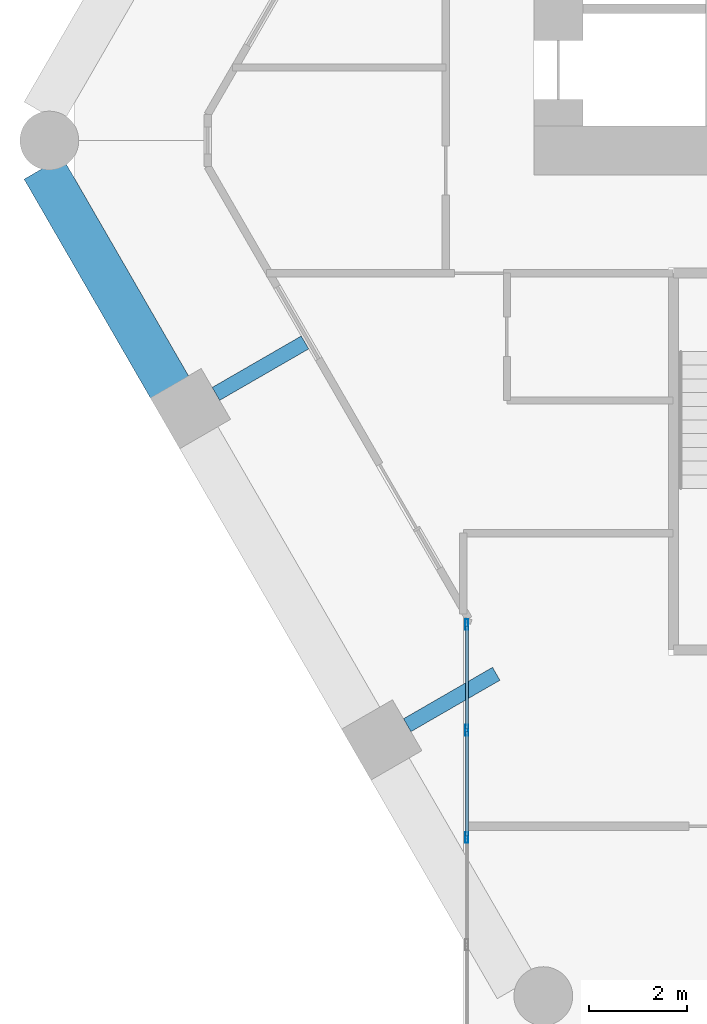
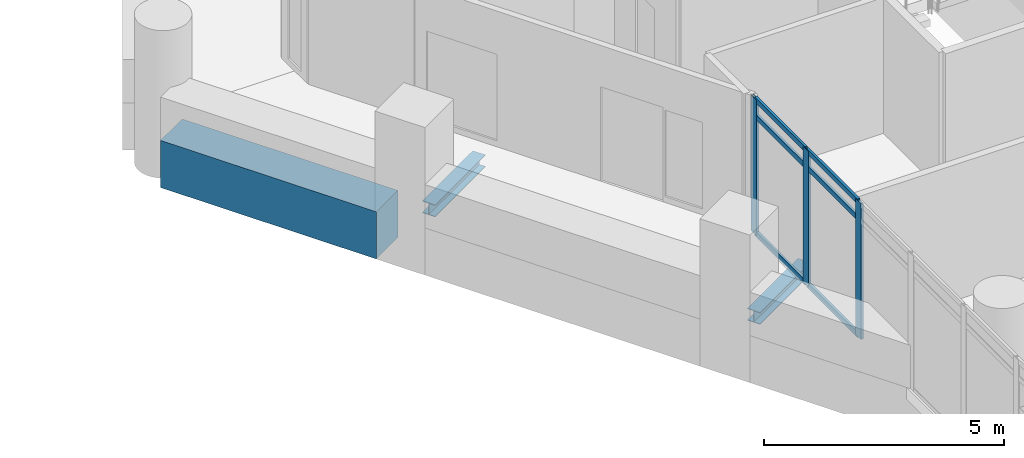
# One storey, part 9 of 28: 9 members, 3 beams, 1 element without a shape of its own.
"""IFC4 building model written with IfcOpenShell, lengths in metres."""

from ifc_helpers import new_model, si_unit, direction, frame, origin, origin_2d, place, context, subcontext, project, spatial, rectangle, hollow_rectangle, i_section, extrude, material, material_profile, profile_set, type_object, element, aggregate, save


model = new_model("IFC4")

# Units and contexts
model_context = context("Model", 3, precision=1e-05, world=origin(), true_north=direction((0.0, 1.0)))
body_context = subcontext(model_context, "Body", "Model", "MODEL_VIEW")
ifc_project = project(units=[si_unit("LENGTHUNIT", "METRE"), si_unit("AREAUNIT", "SQUARE_METRE"), si_unit("VOLUMEUNIT", "CUBIC_METRE"), si_unit("PLANEANGLEUNIT", "RADIAN"), si_unit("MASSUNIT", "GRAM", prefix="KILO")], contexts=[model_context])

# Site, building, storey
site_placement = place(None, origin())
site = spatial("IfcSite", under=ifc_project, at=site_placement, CompositionType="ELEMENT")
building_placement = place(site_placement, origin())
building = spatial("IfcBuilding", under=site, at=building_placement, Name="Ostrander Bayou Hotel Tower", CompositionType="ELEMENT")
storey_placement = place(building_placement, frame((0.0, 0.0, 134.75)))
storey = spatial("IfcBuildingStorey", under=building, at=storey_placement, Name="L33", CompositionType="ELEMENT", Elevation=134.75)

# Curtain wall, members
ifc_material_1 = material(Name="Aluminium and clear glass", Category="aluminium")
curtain_wall_type = type_object("IfcCurtainWallType", Name="CW-BAR glazed wall", PredefinedType="NOTDEFINED", material=ifc_material_1)
curtain_wall_placement = place(storey_placement, origin())
curtain_wall = element("IfcCurtainWall", 1, at=curtain_wall_placement, inside=storey, type_object=curtain_wall_type, Name="CW-BAR L33:SB3S:E", PredefinedType="NOTDEFINED")
ifc_material_2 = material(Name="Aluminium", Category="aluminium")
ifc_material_profile_1 = material_profile(ifc_material_2, hollow_rectangle(XDim=0.06005859375, YDim=0.219970703125, WallThickness=0.00390625, at=origin_2d()))
ifc_profile_set_1 = profile_set([ifc_material_profile_1], Name="Aluminium")
member_type_1 = type_object("IfcMemberType", Name="CW-BR mullion 60 x 220 mm", PredefinedType="MULLION", material=ifc_profile_set_1)
member_1_placement = place(storey_placement, frame((-13.3671875, -10.877197265625, 0.0), z_axis=(0.0, 0.0, 1.0), x_axis=(1.0, 0.0, 0.0)))
member_1 = element("IfcMember", 2, at=member_1_placement, type_object=member_type_1, Name="CW-BAR mullion 1", PredefinedType="MULLION", context=body_context, shape_type="SweptSolid", body=[
    extrude(hollow_rectangle(XDim=0.06005859375, YDim=0.219970703125, WallThickness=0.00390625, at=origin_2d()), origin(), (0.0, 0.0, 1.0), 3.449951171875),
])
member_2_placement = place(storey_placement, frame((-13.3671875, -13.03662109375, 0.0), z_axis=(0.0, 0.0, 1.0), x_axis=(1.0, 0.0, 0.0)))
member_2 = element("IfcMember", 3, at=member_2_placement, type_object=member_type_1, Name="CW-BAR mullion 2", PredefinedType="MULLION", context=body_context, shape_type="SweptSolid", body=[
    extrude(hollow_rectangle(XDim=0.06005859375, YDim=0.219970703125, WallThickness=0.00390625, at=origin_2d()), origin(), (0.0, 0.0, 1.0), 3.449951171875),
])
member_3_placement = place(storey_placement, frame((-13.3671875, -15.22607421875, 0.0), z_axis=(0.0, 0.0, 1.0), x_axis=(1.0, 0.0, 0.0)))
member_3 = element("IfcMember", 4, at=member_3_placement, type_object=member_type_1, Name="CW-BAR mullion 3", PredefinedType="MULLION", context=body_context, shape_type="SweptSolid", body=[
    extrude(hollow_rectangle(XDim=0.06005859375, YDim=0.219970703125, WallThickness=0.00390625, at=origin_2d()), origin(), (0.0, 0.0, 1.0), 3.449951171875),
])
ifc_material_3 = material(Name="Aluminium", Category="aluminium")
ifc_material_profile_2 = material_profile(ifc_material_3, hollow_rectangle(XDim=0.06005859375, YDim=0.1298828125, WallThickness=0.00390625, at=origin_2d()))
ifc_profile_set_2 = profile_set([ifc_material_profile_2], Name="Aluminium")
member_type_2 = type_object("IfcMemberType", Name="CW-BR transom 60 x 130 mm", PredefinedType="USERDEFINED", material=ifc_profile_set_2)
member_4_placement = place(storey_placement, frame((-13.3671875, -10.9072265625, 0.030029296875), z_axis=(0.0, -1.0, 0.0), x_axis=(1.0, 0.0, 0.0)))
member_4 = element("IfcMember", 5, at=member_4_placement, type_object=member_type_2, Name="CW-BAR transom 1.1", ObjectType="TRANSOM", PredefinedType="USERDEFINED", context=body_context, shape_type="SweptSolid", body=[
    extrude(hollow_rectangle(XDim=0.06005859375, YDim=0.1298828125, WallThickness=0.00390625, at=origin_2d()), origin(), (0.0, 0.0, 1.0), 2.099609375),
])
member_5_placement = place(storey_placement, frame((-13.3671875, -10.9072265625, 3.0), z_axis=(0.0, -1.0, 0.0), x_axis=(1.0, 0.0, 0.0)))
member_5 = element("IfcMember", 6, at=member_5_placement, type_object=member_type_2, Name="CW-BAR transom 1.2", ObjectType="TRANSOM", PredefinedType="USERDEFINED", context=body_context, shape_type="SweptSolid", body=[
    extrude(hollow_rectangle(XDim=0.06005859375, YDim=0.1298828125, WallThickness=0.00390625, at=origin_2d()), origin(), (0.0, 0.0, 1.0), 2.099609375),
])
member_6_placement = place(storey_placement, frame((-13.3671875, -10.9072265625, 3.419921875), z_axis=(0.0, -1.0, 0.0), x_axis=(1.0, 0.0, 0.0)))
member_6 = element("IfcMember", 7, at=member_6_placement, type_object=member_type_2, Name="CW-BAR transom 1.3", ObjectType="TRANSOM", PredefinedType="USERDEFINED", context=body_context, shape_type="SweptSolid", body=[
    extrude(hollow_rectangle(XDim=0.06005859375, YDim=0.1298828125, WallThickness=0.00390625, at=origin_2d()), origin(), (0.0, 0.0, 1.0), 2.099609375),
])
member_7_placement = place(storey_placement, frame((-13.3671875, -13.066650390625, 0.030029296875), z_axis=(0.0, -1.0, 0.0), x_axis=(1.0, 0.0, 0.0)))
member_7 = element("IfcMember", 8, at=member_7_placement, type_object=member_type_2, Name="CW-BAR transom 2.1", ObjectType="TRANSOM", PredefinedType="USERDEFINED", context=body_context, shape_type="SweptSolid", body=[
    extrude(hollow_rectangle(XDim=0.06005859375, YDim=0.1298828125, WallThickness=0.00390625, at=origin_2d()), origin(), (0.0, 0.0, 1.0), 2.12939453125),
])
member_8_placement = place(storey_placement, frame((-13.3671875, -13.066650390625, 3.0), z_axis=(0.0, -1.0, 0.0), x_axis=(1.0, 0.0, 0.0)))
member_8 = element("IfcMember", 9, at=member_8_placement, type_object=member_type_2, Name="CW-BAR transom 2.2", ObjectType="TRANSOM", PredefinedType="USERDEFINED", context=body_context, shape_type="SweptSolid", body=[
    extrude(hollow_rectangle(XDim=0.06005859375, YDim=0.1298828125, WallThickness=0.00390625, at=origin_2d()), origin(), (0.0, 0.0, 1.0), 2.12939453125),
])
member_9_placement = place(storey_placement, frame((-13.3671875, -13.066650390625, 3.419921875), z_axis=(0.0, -1.0, 0.0), x_axis=(1.0, 0.0, 0.0)))
member_9 = element("IfcMember", 10, at=member_9_placement, type_object=member_type_2, Name="CW-BAR transom 2.3", ObjectType="TRANSOM", PredefinedType="USERDEFINED", context=body_context, shape_type="SweptSolid", body=[
    extrude(hollow_rectangle(XDim=0.06005859375, YDim=0.1298828125, WallThickness=0.00390625, at=origin_2d()), origin(), (0.0, 0.0, 1.0), 2.12939453125),
])
aggregate(curtain_wall, [member_1, member_2, member_3, member_4, member_5, member_6, member_7, member_8, member_9])

# Beams
ifc_material_4 = material(Name="Steel ASTM A992", Category="steel")
ifc_material_profile_3 = material_profile(ifc_material_4, i_section(OverallWidth=0.3046875, OverallDepth=0.307861328125, WebThickness=0.010009765625, FlangeThickness=0.015380859375, at=origin_2d()))
ifc_profile_set_3 = profile_set([ifc_material_profile_3], Name="Steel ASTM A992")
beam_type_1 = type_object("IfcBeamType", Name="LB1 loggia bracket W12x65", PredefinedType="BEAM", material=ifc_profile_set_3)
for number, where, z_axis, x_axis, name in (
    (11, (-18.494384765625, -6.166748046875, -0.453857421875), (0.866009402589, 0.500027713859, 0.0), (-0.500027713859, 0.866009402589, 0.0), "LB1 L33 SW1"),
    (12, (-14.587646484375, -12.933349609375, -0.453857421875), (0.866009402589, 0.500027713859, 0.0), (-0.500027713859, 0.866009402589, 0.0), "LB1 L33 SW2"),
):
    element("IfcBeam", number, at=place(storey_placement, frame(where, z_axis=z_axis, x_axis=x_axis)), inside=storey, type_object=beam_type_1, Name=name, PredefinedType="BEAM", context=body_context, shape_type="SweptSolid", body=[
        extrude(i_section(OverallWidth=0.3046875, OverallDepth=0.307861328125, WebThickness=0.010009765625, FlangeThickness=0.015380859375, at=origin_2d()), origin(), (0.0, 0.0, 1.0), 2.10009765625),
    ])
ifc_material_5 = material(Name="Concrete f'c 70 MPa", Category="concrete")
ifc_material_profile_4 = material_profile(ifc_material_5, rectangle(XDim=0.89990234375, YDim=1.199951171875, at=origin_2d()))
ifc_profile_set_4 = profile_set([ifc_material_profile_4], Name="Concrete f'c 70 MPa")
beam_type_2 = type_object("IfcBeamType", Name="SP2 spandrel beam 900 x 1200 mm f'c 70 MPa", PredefinedType="SPANDREL", material=ifc_profile_set_4)
beam_placement = place(storey_placement, frame((-22.022216796875, -1.556396484375, -0.60009765625), z_axis=(0.499996813733, -0.866027243369, 0.0), x_axis=(0.866027243369, 0.499996813733, 0.0)))
element("IfcBeam", 13, at=beam_placement, inside=storey, type_object=beam_type_2, Name="SP2 L33 SW-1", PredefinedType="SPANDREL", context=body_context, shape_type="SweptSolid", body=[
    extrude(rectangle(XDim=0.89990234375, YDim=1.199951171875, at=origin_2d()), origin(), (0.0, 0.0, 1.0), 5.1865234375),
])

save(model, "model.ifc")
